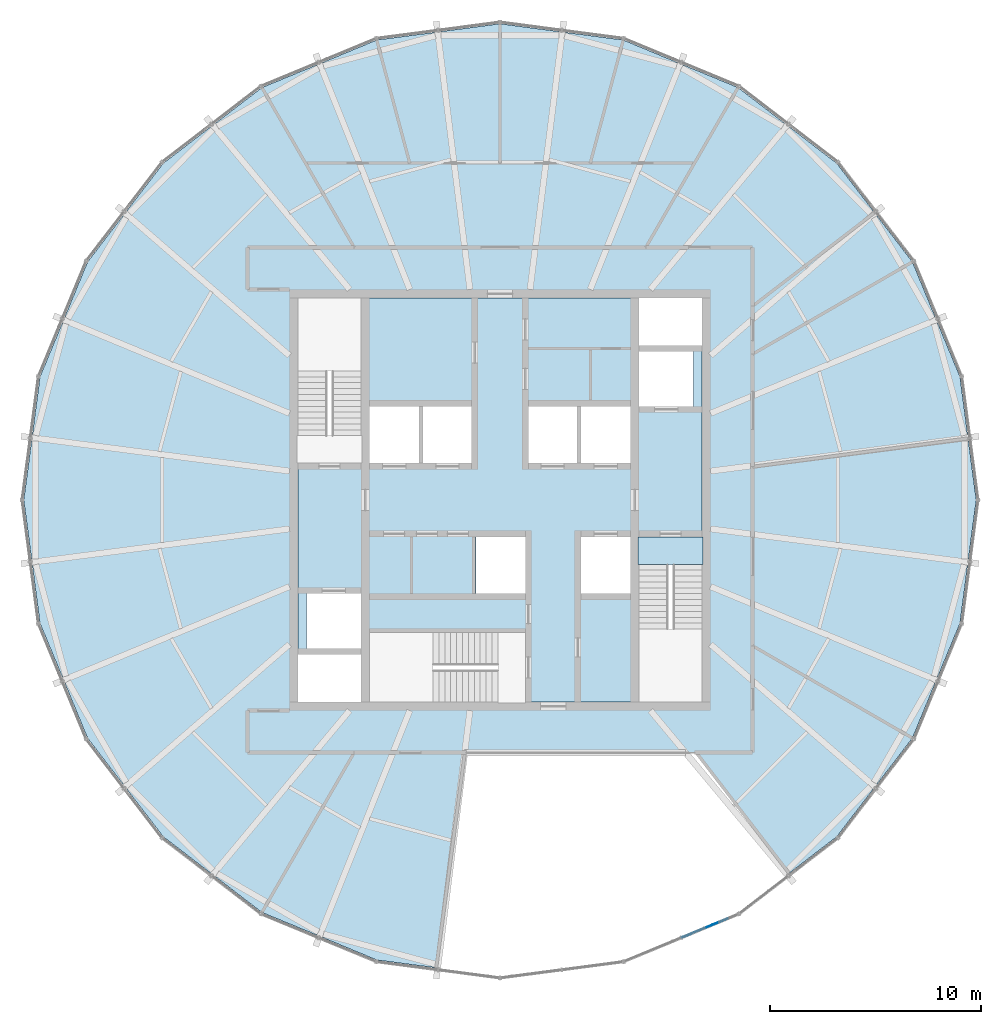
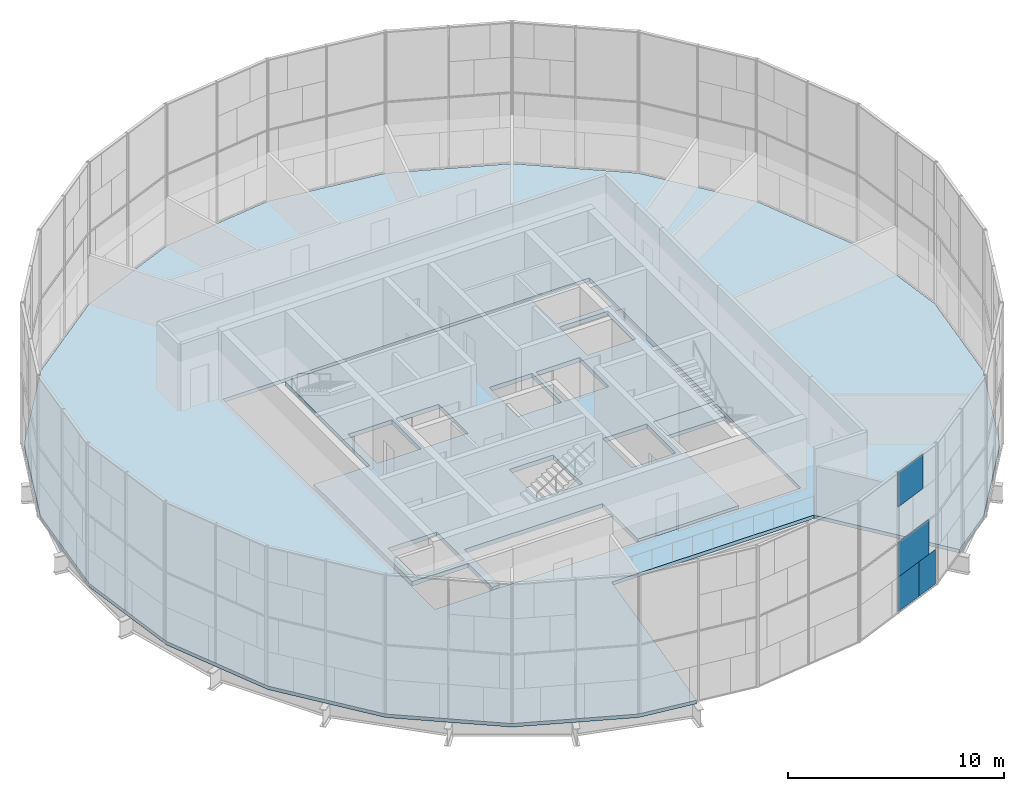
# One storey, part 11 of 19: 4 plates, 3 slabs, 1 element without a shape of its own.
"""IFC4 building model written with IfcOpenShell, lengths in metres."""

import ifcopenshell
import ifcopenshell.guid

model = None  # the IFC model being written
_history = None  # IfcOwnerHistory: only IFC2X3 demands one
_inside = {}  # id of a spatial element -> (the spatial element, [elements in it])
_under = {}  # id of a project, library or spatial element -> (it, [spatial elements below it])
_declared = {}  # id of a project -> (the project, [libraries it declares])
_typed = {}  # id of a type object -> (the type object, [elements of that type])
_made_of = {}  # id of a material, layer set ... -> (it, [elements and type objects made of it])


def new_model(schema):
    """Start an empty IFC model of exactly this schema.

    Asked for "IFC4X3", IfcOpenShell would pick the latest addendum, in which some entities
    have other attributes; the version numbers below select the first issue.
    IFC2X3 requires an IfcOwnerHistory on every rooted entity: one is made here for all.
    """
    global model, _history
    if schema == "IFC4X3":
        model = ifcopenshell.file(schema_version=(4, 3, 0, 0))
    else:
        model = ifcopenshell.file(schema=schema)
    _inside.clear()
    _under.clear()
    _declared.clear()
    _typed.clear()
    _made_of.clear()
    _history = None
    if model.schema == "IFC2X3":
        org = make("IfcOrganization", Name="unknown")
        user = make(
            "IfcPersonAndOrganization",
            ThePerson=make("IfcPerson", FamilyName="unknown"),
            TheOrganization=org,
        )
        app = make(
            "IfcApplication",
            ApplicationDeveloper=org,
            Version="unknown",
            ApplicationFullName="unknown",
            ApplicationIdentifier="unknown",
        )
        _history = make(
            "IfcOwnerHistory",
            OwningUser=user,
            OwningApplication=app,
            ChangeAction="ADDED",
            CreationDate=0,
        )
    return model


def make(cls, **values):
    """One entity of the class cls with the attributes given. An attribute that is None is left unset."""
    return model.create_entity(
        cls, **{name: value for name, value in values.items() if value is not None}
    )


def rooted(cls, **values):
    """An entity with a GlobalId (a new one), such as an element, a storey or a relation."""
    return make(cls, GlobalId=ifcopenshell.guid.new(), OwnerHistory=_history, **values)


def si_unit(unit_type, name, prefix=None):
    """IfcSIUnit, for example si_unit("LENGTHUNIT", "METRE", prefix="MILLI")."""
    return make("IfcSIUnit", UnitType=unit_type, Prefix=prefix, Name=name)


def assignment(units):
    """IfcUnitAssignment: the units of a project."""
    return None if units is None else make("IfcUnitAssignment", Units=units)


def point(xyz):
    """IfcCartesianPoint."""
    return None if xyz is None else make("IfcCartesianPoint", Coordinates=xyz)


def direction(xyz):
    """IfcDirection."""
    return None if xyz is None else make("IfcDirection", DirectionRatios=xyz)


def frame(location, z_axis=None, x_axis=None):
    """IfcAxis2Placement3D, a coordinate frame: its origin and axes. An axis left out is left unset."""
    return make(
        "IfcAxis2Placement3D",
        Location=point(location),
        Axis=direction(z_axis),
        RefDirection=direction(x_axis),
    )


def frame_2d(location, x_axis=None):
    """IfcAxis2Placement2D, a coordinate frame in the plane: its origin and x axis."""
    return make(
        "IfcAxis2Placement2D", Location=point(location), RefDirection=direction(x_axis)
    )


def origin():
    """The frame at (0, 0, 0) with its axes left unset."""
    return frame((0.0, 0.0, 0.0))


def origin_2d():
    """The frame at (0, 0) in the plane with its x axis left unset."""
    return frame_2d((0.0, 0.0))


def place(relative_to, where):
    """IfcLocalPlacement: puts the frame where relative to a parent placement (None: the world)."""
    return make(
        "IfcLocalPlacement", PlacementRelTo=relative_to, RelativePlacement=where
    )


def context(
    kind, dimensions, precision=None, world=None, true_north=None, identifier=None
):
    """IfcGeometricRepresentationContext, for example the 3D "Model" context."""
    return make(
        "IfcGeometricRepresentationContext",
        ContextIdentifier=identifier,
        ContextType=kind,
        CoordinateSpaceDimension=dimensions,
        Precision=precision,
        WorldCoordinateSystem=world,
        TrueNorth=true_north,
    )


def subcontext(parent, identifier, kind, view, scale=None):
    """IfcGeometricRepresentationSubContext, for example "Body" below "Model"."""
    return make(
        "IfcGeometricRepresentationSubContext",
        ContextIdentifier=identifier,
        ContextType=kind,
        ParentContext=parent,
        TargetScale=scale,
        TargetView=view,
    )


def project(units=None, contexts=None):
    """IfcProject with its units and contexts."""
    return rooted(
        "IfcProject",
        Name="project",
        RepresentationContexts=contexts,
        UnitsInContext=assignment(units),
    )


def spatial(cls, under=None, at=None, **own):
    """A site, building, storey or space (cls), placed at a placement, below another one or the project."""
    s = rooted(cls, ObjectPlacement=at, **own)
    if under is not None:
        _under.setdefault(under.id(), (under, []))[1].append(s)
    return s


def polyline(points):
    """IfcPolyline through the points."""
    return make("IfcPolyline", Points=[point(p) for p in points])


def profile(cls, at=None, kind="AREA", **sizes):
    """A parametric profile (cls). Its sizes go by their IFC names, for example OverallWidth=200.0."""
    return make(cls, ProfileType=kind, Position=at, **sizes)


def rectangle(**sizes):
    """IfcRectangleProfileDef."""
    return profile("IfcRectangleProfileDef", **sizes)


def outline(outer, holes=None, kind="AREA"):
    """IfcArbitraryClosedProfileDef: a profile drawn as a closed curve; with holes, ...WithVoids."""
    if holes is None:
        return make("IfcArbitraryClosedProfileDef", ProfileType=kind, OuterCurve=outer)
    return make(
        "IfcArbitraryProfileDefWithVoids",
        ProfileType=kind,
        OuterCurve=outer,
        InnerCurves=holes,
    )


def extrude(swept, where, along, depth):
    """IfcExtrudedAreaSolid: the profile swept, set in the frame where, extruded along a direction by depth."""
    return make(
        "IfcExtrudedAreaSolid",
        SweptArea=swept,
        Position=where,
        ExtrudedDirection=direction(along),
        Depth=depth,
    )


def shape(context_of_items, identifier, shape_type, items):
    """IfcShapeRepresentation: the items that make up one representation, for example the "Body"."""
    return make(
        "IfcShapeRepresentation",
        ContextOfItems=context_of_items,
        RepresentationIdentifier=identifier,
        RepresentationType=shape_type,
        Items=items,
    )


def material(Name=None, Category=None):
    """IfcMaterial."""
    return make("IfcMaterial", Name=Name, Category=Category)


def layer(
    of_material, thickness, ventilated=None, Name=None, Category=None, Priority=None
):
    """IfcMaterialLayer: one layer of a wall or slab, of a material (None: an air gap)."""
    return make(
        "IfcMaterialLayer",
        Material=of_material,
        LayerThickness=thickness,
        IsVentilated=ventilated,
        Name=Name,
        Category=Category,
        Priority=Priority,
    )


def layer_set(layers, Name=None):
    """IfcMaterialLayerSet."""
    return make("IfcMaterialLayerSet", MaterialLayers=layers, LayerSetName=Name)


def made_of(thing, what):
    """Note that an element or type object is made of a material, layer set ...; save() writes the relation."""
    if what is not None:
        _made_of.setdefault(what.id(), (what, []))[1].append(thing)
    return thing


def type_object(cls, material=None, **own):
    """A type object (cls), such as IfcWallType, which elements share."""
    return made_of(rooted(cls, **own), material)


def element(
    cls,
    number,
    at=None,
    inside=None,
    cuts=None,
    type_object=None,
    material=None,
    context=None,
    identifier="Body",
    shape_type=None,
    held_by="IfcProductDefinitionShape",
    body=None,
    shapes=None,
    **own,
):
    """One element of the class cls, such as IfcWall. Its Tag is "e" and its number.

    at: its placement. inside: the storey or other place that contains it. cuts: it is an
    opening in that element (IfcRelVoidsElement). A single representation is given by context,
    identifier, shape_type and body (its items); several are given by shapes. held_by: the class
    of the entity that holds the representations. save() writes the other relations.
    """
    e = rooted(cls, Tag="e%d" % number, ObjectPlacement=at, **own)
    if body is not None:
        shapes = [shape(context, identifier, shape_type, body)]
    if shapes is not None:
        e.Representation = make(held_by, Representations=shapes)
    if inside is not None:
        _inside.setdefault(inside.id(), (inside, []))[1].append(e)
    if cuts is not None:
        rooted(
            "IfcRelVoidsElement", RelatingBuildingElement=cuts, RelatedOpeningElement=e
        )
    if type_object is not None:
        _typed.setdefault(type_object.id(), (type_object, []))[1].append(e)
    return made_of(e, material)


def aggregate(whole, parts):
    """IfcRelAggregates: a whole, such as a stair, and the parts it consists of."""
    return rooted("IfcRelAggregates", RelatingObject=whole, RelatedObjects=parts)


def save(model, path):
    """Write the relations noted so far, then the file.

    IfcRelAggregates (storeys below a building ...), IfcRelContainedInSpatialStructure (elements
    in a storey), IfcRelDefinesByType, IfcRelAssociatesMaterial and IfcRelDeclares: one each for
    every whole, place, type object, material and project.
    """
    for whole, parts in _under.values():
        aggregate(whole, parts)
    for where, things in _inside.values():
        rooted(
            "IfcRelContainedInSpatialStructure",
            RelatedElements=things,
            RelatingStructure=where,
        )
    for kind, things in _typed.values():
        rooted("IfcRelDefinesByType", RelatedObjects=things, RelatingType=kind)
    for what, things in _made_of.values():
        rooted("IfcRelAssociatesMaterial", RelatedObjects=things, RelatingMaterial=what)
    for by, libraries in _declared.values():
        rooted("IfcRelDeclares", RelatingContext=by, RelatedDefinitions=libraries)
    model.write(path)


model = new_model("IFC4")

# Units and contexts
model_context = context("Model", 3, precision=1e-05, world=origin(), true_north=direction((0.0, 1.0)))
body_context = subcontext(model_context, "Body", "Model", "MODEL_VIEW")
ifc_project = project(units=[si_unit("LENGTHUNIT", "METRE"), si_unit("AREAUNIT", "SQUARE_METRE"), si_unit("VOLUMEUNIT", "CUBIC_METRE"), si_unit("PLANEANGLEUNIT", "RADIAN"), si_unit("MASSUNIT", "GRAM", prefix="KILO")], contexts=[model_context])

# Site, building, storey
site_placement = place(None, origin())
site = spatial("IfcSite", under=ifc_project, at=site_placement, CompositionType="ELEMENT")
building_placement = place(site_placement, origin())
building = spatial("IfcBuilding", under=site, at=building_placement, Name="Golbaran Civic Tower", CompositionType="ELEMENT")
storey_placement = place(building_placement, frame((0.0, 0.0, 240.0)))
storey = spatial("IfcBuildingStorey", under=building, at=storey_placement, Name="L58", CompositionType="ELEMENT", Elevation=240.0)

# Slabs
ifc_material_1 = material(Name="Concrete LC30/33 lightweight on steel deck", Category="concrete")
ifc_layer_1 = layer(ifc_material_1, 0.199951171875, Name="Concrete LC30/33 lightweight on steel deck")
ifc_layer_set_1 = layer_set([ifc_layer_1], Name="Concrete LC30/33 lightweight on steel deck")
slab_type_1 = type_object("IfcSlabType", Name="COMPOSITE FLOOR SLAB 200", PredefinedType="FLOOR", material=ifc_layer_set_1)
slab_1_placement = place(storey_placement, frame((0.0, 0.0, -0.199951171875)))
element("IfcSlab", 1, at=slab_1_placement, inside=storey, type_object=slab_type_1, Name="Floor slab L58", PredefinedType="FLOOR", context=body_context, shape_type="SweptSolid", body=[
    extrude(outline(polyline([(15.994384765625, -15.994384765625), (13.67333984375, -17.775146484375), (9.23095703125, -12.0), (-1.594482421875, -12.0), (-2.953857421875, -22.23046875), (-5.854248046875, -21.8486328125), (-11.3095703125, -19.5888671875), (-15.994384765625, -15.994384765625), (-19.5888671875, -11.3095703125), (-21.8486328125, -5.854248046875), (-22.619384765625, 0.0), (-21.8486328125, 5.854248046875), (-19.5888671875, 11.3095703125), (-15.994384765625, 15.994384765625), (-11.3095703125, 19.5888671875), (-5.854248046875, 21.8486328125), (0.0, 22.619384765625), (5.854248046875, 21.8486328125), (11.3095703125, 19.5888671875), (15.994384765625, 15.994384765625), (19.5888671875, 11.3095703125), (21.8486328125, 5.854248046875), (22.619384765625, 0.0), (21.8486328125, -5.854248046875), (19.5888671875, -11.3095703125), (15.994384765625, -15.994384765625)]), holes=[polyline([(-9.800048828125, -9.800048828125), (9.800048828125, -9.800048828125), (9.800048828125, 9.800048828125), (-9.800048828125, 9.800048828125), (-9.800048828125, -9.800048828125)])]), origin(), (0.0, 0.0, 1.0), 0.199951171875),
])
ifc_material_2 = material(Name="Concrete C35/45", Category="concrete")
ifc_layer_2 = layer(ifc_material_2, 0.25, Name="Concrete C35/45")
ifc_layer_set_2 = layer_set([ifc_layer_2], Name="Concrete C35/45")
slab_type_2 = type_object("IfcSlabType", Name="CORE FLOOR SLAB 250", PredefinedType="FLOOR", material=ifc_layer_set_2)
slab_2_placement = place(storey_placement, frame((0.0, 0.0, -0.25)))
element("IfcSlab", 2, at=slab_2_placement, inside=storey, type_object=slab_type_2, Name="Core floor slab L58", PredefinedType="FLOOR", context=body_context, shape_type="SweptSolid", body=[
    extrude(outline(polyline([(6.60009765625, -1.75), (6.60009765625, -9.60009765625), (1.199951171875, -9.60009765625), (1.199951171875, -6.300048828125), (-6.199951171875, -6.300048828125), (-6.199951171875, -9.60009765625), (-6.60009765625, -9.60009765625), (-6.60009765625, -7.35009765625), (-9.60009765625, -7.35009765625), (-9.60009765625, 1.75), (-6.60009765625, 1.75), (-6.60009765625, 9.60009765625), (6.60009765625, 9.60009765625), (6.60009765625, 7.35009765625), (9.60009765625, 7.35009765625), (9.60009765625, -1.75), (6.60009765625, -1.75)]), holes=[polyline([(9.199951171875, 7.050048828125), (6.60009765625, 7.050048828125), (6.60009765625, 4.449951171875), (9.199951171875, 4.449951171875), (9.199951171875, 7.050048828125)]), polyline([(6.199951171875, -1.75), (3.85009765625, -1.75), (3.85009765625, -4.449951171875), (6.199951171875, -4.449951171875), (6.199951171875, -1.75)]), polyline([(6.199951171875, 4.449951171875), (3.85009765625, 4.449951171875), (3.85009765625, 1.75), (6.199951171875, 1.75), (6.199951171875, 4.449951171875)]), polyline([(3.64990234375, 4.449951171875), (1.35009765625, 4.449951171875), (1.35009765625, 1.75), (3.64990234375, 1.75), (3.64990234375, 4.449951171875)]), polyline([(-1.14990234375, -1.75), (-1.14990234375, -4.449951171875), (1.199951171875, -4.449951171875), (1.199951171875, -1.75), (-1.14990234375, -1.75)]), polyline([(-1.35009765625, 4.449951171875), (-3.64990234375, 4.449951171875), (-3.64990234375, 1.75), (-1.35009765625, 1.75), (-1.35009765625, 4.449951171875)]), polyline([(-3.85009765625, 4.449951171875), (-6.199951171875, 4.449951171875), (-6.199951171875, 1.75), (-3.85009765625, 1.75), (-3.85009765625, 4.449951171875)]), polyline([(-6.60009765625, -4.449951171875), (-9.199951171875, -4.449951171875), (-9.199951171875, -7.050048828125), (-6.60009765625, -7.050048828125), (-6.60009765625, -4.449951171875)])]), origin(), (0.0, 0.0, 1.0), 0.25),
])

# Curtain wall, plates
ifc_material_3 = material(Name="Aluminium and glass", Category="aluminium")
curtain_wall_type = type_object("IfcCurtainWallType", Name="INNER SKIN CURTAIN WALL EXECUTIVE", PredefinedType="NOTDEFINED", material=ifc_material_3)
curtain_wall_placement = place(storey_placement, origin())
curtain_wall = element("IfcCurtainWall", 3, at=curtain_wall_placement, inside=storey, type_object=curtain_wall_type, Name="Inner skin L58 facet 20 CW2", ObjectType="INNER SKIN", PredefinedType="USERDEFINED")
ifc_material_4 = material(Name="Clear insulating glass", Category="glass")
ifc_layer_3 = layer(ifc_material_4, 0.031982421875, Name="Clear insulating glass")
ifc_layer_set_3 = layer_set([ifc_layer_3], Name="Clear insulating glass")
plate_type_1 = type_object("IfcPlateType", Name="INNER SKIN CURTAIN WALL EXECUTIVE GLAZED PANEL", PredefinedType="CURTAIN_PANEL", material=ifc_layer_set_3)
plate_1_placement = place(storey_placement, frame((10.7080078125, -19.9248046875, 0.06005859375), z_axis=(0.0, 0.0, 1.0), x_axis=(0.923879532498, 0.382683432397, 0.0)))
plate_1 = element("IfcPlate", 4, at=plate_1_placement, type_object=plate_type_1, Name="CW2 panel 2.1 part 2", PredefinedType="CURTAIN_PANEL", context=body_context, shape_type="SweptSolid", body=[
    extrude(rectangle(XDim=1.27001953125, YDim=0.031982421875, at=origin_2d()), origin(), (0.0, 0.0, 1.0), 1.955078125),
])
plate_2_placement = place(storey_placement, frame((9.5244140625, -20.4150390625, 5.98486328125), z_axis=(0.0, 0.0, 1.0), x_axis=(0.923879532498, 0.382683432397, 0.0)))
plate_2 = element("IfcPlate", 5, at=plate_2_placement, type_object=plate_type_1, Name="CW2 panel 2.2 part 3", PredefinedType="CURTAIN_PANEL", context=body_context, shape_type="SweptSolid", body=[
    extrude(rectangle(XDim=1.9140625, YDim=0.031982421875, at=origin_2d()), origin(), (0.0, 0.0, 1.0), 1.955078125),
])
ifc_material_5 = material(Name="Aluminium faced opaque infill panel", Category="aluminium")
ifc_layer_4 = layer(ifc_material_5, 0.031982421875, Name="Aluminium faced opaque infill panel")
ifc_layer_set_4 = layer_set([ifc_layer_4], Name="Aluminium faced opaque infill panel")
plate_type_2 = type_object("IfcPlateType", Name="INNER SKIN CURTAIN WALL EXECUTIVE OPAQUE INFILL PANEL", PredefinedType="CURTAIN_PANEL", material=ifc_layer_set_4)
plate_3_placement = place(storey_placement, frame((9.380859375, -20.474365234375, 0.06005859375), z_axis=(0.0, 0.0, 1.0), x_axis=(0.923879532498, 0.382683432397, 0.0)))
plate_3 = element("IfcPlate", 6, at=plate_3_placement, type_object=plate_type_2, Name="CW2 infill panel 2.1 part 1", PredefinedType="CURTAIN_PANEL", context=body_context, shape_type="SweptSolid", body=[
    extrude(rectangle(XDim=1.60302734375, YDim=0.031982421875, at=origin_2d()), origin(), (0.0, 0.0, 1.0), 1.955078125),
])
plate_4_placement = place(storey_placement, frame((9.72900390625, -20.330078125, 2.014892578125), z_axis=(0.0, 0.0, 1.0), x_axis=(0.923879532498, 0.382683432397, 0.0)))
plate_4 = element("IfcPlate", 7, at=plate_4_placement, type_object=plate_type_2, Name="CW2 infill panel 2.1 part 3", PredefinedType="CURTAIN_PANEL", context=body_context, shape_type="SweptSolid", body=[
    extrude(rectangle(XDim=2.35693359375, YDim=0.031982421875, at=origin_2d()), origin(), (0.0, 0.0, 1.0), 1.955078125),
])
aggregate(curtain_wall, [plate_3, plate_1, plate_4, plate_2])

# Slab
ifc_layer_5 = layer(ifc_material_2, 0.199951171875, Name="Concrete C35/45")
ifc_layer_set_5 = layer_set([ifc_layer_5], Name="Concrete C35/45")
slab_type_3 = type_object("IfcSlabType", Name="STAIR LANDING 200", PredefinedType="LANDING", material=ifc_layer_set_5)
slab_3_placement = place(storey_placement, frame((0.0, 0.0, -0.199951171875)))
element("IfcSlab", 8, at=slab_3_placement, inside=storey, type_object=slab_type_3, Name="Stair S2 floor landing L58", PredefinedType="LANDING", context=body_context, shape_type="SweptSolid", body=[
    extrude(outline(polyline([(9.64990234375, -1.75), (9.64990234375, -3.054931640625), (6.550048828125, -3.054931640625), (6.550048828125, -1.75), (9.64990234375, -1.75)])), origin(), (0.0, 0.0, 1.0), 0.199951171875),
])

save(model, "model.ifc")
